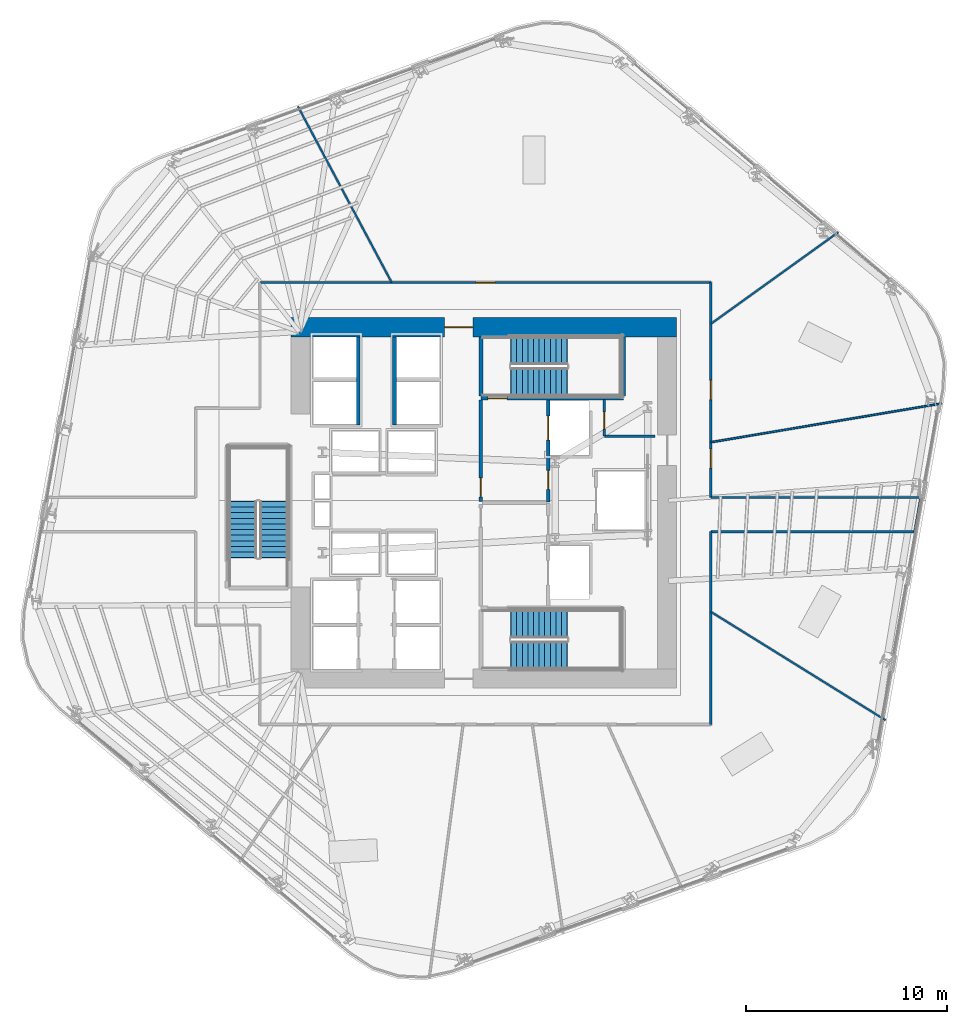
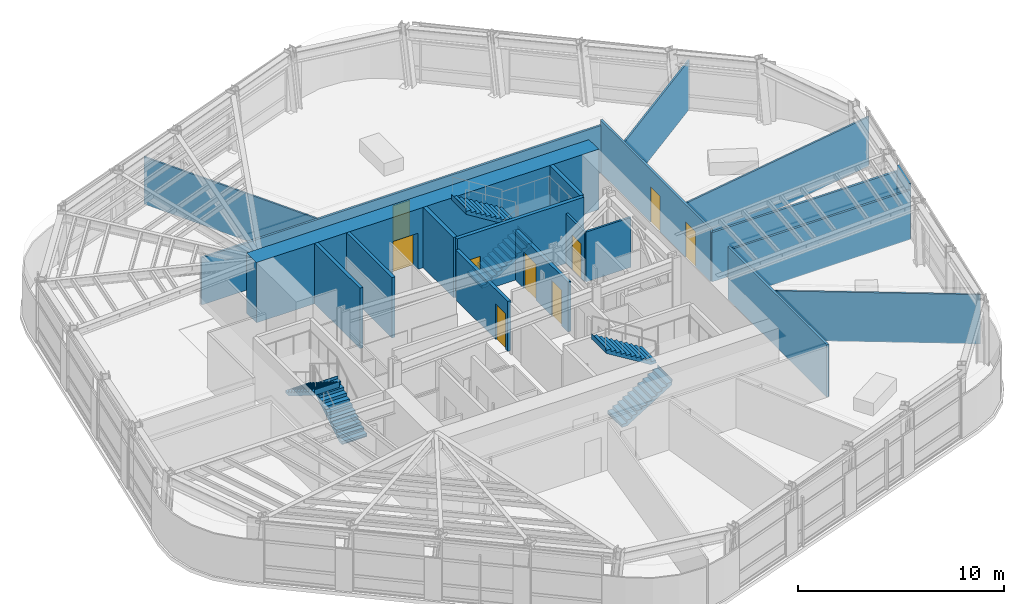
# One storey, part 10 of 18: 20 walls, 9 doors, 6 stair flights, 9 openings, 3 elements without a shape of their own.
"""IFC4 building model written with IfcOpenShell, lengths in metres."""

from ifc_helpers import new_model, si_unit, direction, frame, frame_2d, origin, place, context, subcontext, project, spatial, polyline, rectangle, outline, extrude, material, layer, layer_set, type_object, element, fill, aggregate, save


model = new_model("IFC4")

# Units and contexts
model_context = context("Model", 3, precision=1e-05, world=origin(), true_north=direction((0.0, 1.0)))
body_context = subcontext(model_context, "Body", "Model", "MODEL_VIEW")
ifc_project = project(units=[si_unit("LENGTHUNIT", "METRE"), si_unit("AREAUNIT", "SQUARE_METRE"), si_unit("VOLUMEUNIT", "CUBIC_METRE"), si_unit("PLANEANGLEUNIT", "RADIAN"), si_unit("MASSUNIT", "GRAM", prefix="KILO")], contexts=[model_context])

# Site, building, storey
site_placement = place(None, origin())
site = spatial("IfcSite", under=ifc_project, at=site_placement, CompositionType="ELEMENT")
building_placement = place(site_placement, origin())
building = spatial("IfcBuilding", under=site, at=building_placement, Name="Valkerne Bourse Tower", CompositionType="ELEMENT")
storey_placement = place(building_placement, frame((0.0, 0.0, 108.60009765625)))
storey = spatial("IfcBuildingStorey", under=building, at=storey_placement, Name="L27", CompositionType="ELEMENT", Elevation=108.60009765625)

# Wall, opening, door
ifc_material_1 = material(Name="Concrete C70/85", Category="concrete")
ifc_layer_1 = layer(ifc_material_1, 0.949951171875)
ifc_layer_set_1 = layer_set([ifc_layer_1], Name="Concrete C70/85")
wall_type_1 = type_object("IfcWallType", Name="W-CORE-950", PredefinedType="SHEAR", material=ifc_layer_set_1)
wall_1_placement = place(storey_placement, frame((37.199951171875, 35.625, 0.0), z_axis=(0.0, 0.0, 1.0), x_axis=(1.0, 0.0, 0.0)))
wall_1 = element("IfcWall", 1, at=wall_1_placement, inside=storey, type_object=wall_type_1, Name="L27 Core Shear Wall NORTH", PredefinedType="SHEAR", context=body_context, shape_type="SweptSolid", body=[
    extrude(rectangle(XDim=19.199951171875, YDim=0.949951171875, at=frame_2d((9.60009765625, 0.0))), origin(), (0.0, 0.0, 1.0), 3.579833984375),
])
opening_1_placement = place(wall_1_placement, frame((7.64990234375, 0.0, 0.0)))
opening_1 = element("IfcOpeningElement", 2, at=opening_1_placement, cuts=wall_1, Name="Opening D-PL-1400", PredefinedType="OPENING", context=body_context, shape_type="SweptSolid", body=[
    extrude(rectangle(XDim=1.39990234375, YDim=2.14990234375, at=frame_2d((0.699951171875, 1.074951171875))), frame((0.0, 0.48486328125, 0.0), z_axis=(0.0, -1.0, 0.0), x_axis=(1.0, 0.0, 0.0)), (0.0, 0.0, 1.0), 0.969970703125),
])
ifc_material_2 = material(Name="Galvanised Painted Steel", Category="steel")
door_type_1 = type_object("IfcDoorType", Name="DR-PLT-1400", OperationType="DOUBLE_DOOR_SINGLE_SWING", PredefinedType="DOOR", material=ifc_material_2)
door_1_placement = place(opening_1_placement, origin())
door_1 = element("IfcDoor", 3, at=door_1_placement, inside=storey, type_object=door_type_1, Name="L27 North Passenger Lift Hall Fire Door", OperationType="DOUBLE_DOOR_SINGLE_SWING", OverallHeight=2.14990234375, OverallWidth=1.39990234375, PredefinedType="DOOR", context=body_context, shape_type="SweptSolid", body=[
    extrude(rectangle(XDim=1.39990234375, YDim=2.14990234375, at=frame_2d((0.699951171875, 1.074951171875))), frame((0.0, 0.02490234375, 0.0), z_axis=(0.0, -1.0, 0.0), x_axis=(1.0, 0.0, 0.0)), (0.0, 0.0, 1.0), 0.050048828125),
])
fill(opening_1, door_1)

ifc_material_3 = material(Name="Gypsum Board Steel-Stud Partition", Category="steel")
ifc_layer_2 = layer(ifc_material_3, 0.117919921875)
ifc_layer_set_2 = layer_set([ifc_layer_2], Name="Gypsum Board Steel-Stud Partition")
wall_type_2 = type_object("IfcWallType", Name="W-CORR-140", PredefinedType="PARTITIONING", material=ifc_layer_set_2)
wall_2_placement = place(storey_placement, frame((52.800048828125, 30.199951171875, 0.0), z_axis=(0.0, 0.0, 1.0), x_axis=(0.0, 1.0, 0.0)))
wall_2 = element("IfcWall", 4, at=wall_2_placement, inside=storey, type_object=wall_type_2, Name="L27 Core NE Bay West Wall", PredefinedType="PARTITIONING", context=body_context, shape_type="SweptSolid", body=[
    extrude(rectangle(XDim=1.820068359375, YDim=0.117919921875, at=frame_2d((0.91015625, 0.0))), origin(), (0.0, 0.0, 1.0), 2.957763671875),
])
opening_2_placement = place(wall_2_placement, frame((0.35009765625, 0.0, 0.0)))
opening_2 = element("IfcOpeningElement", 5, at=opening_2_placement, cuts=wall_2, Name="Opening D-WC-900", PredefinedType="OPENING", context=body_context, shape_type="SweptSolid", body=[
    extrude(rectangle(XDim=0.860107421875, YDim=2.050048828125, at=frame_2d((0.43017578125, 1.02490234375))), frame((0.0, 0.06884765625, 0.0), z_axis=(0.0, -1.0, 0.0), x_axis=(1.0, 0.0, 0.0)), (0.0, 0.0, 1.0), 0.137939453125),
])
ifc_material_4 = material(Name="Architectural White Oak Timber", Category="wood")
door_type_2 = type_object("IfcDoorType", Name="DR-WC-900", OperationType="NOTDEFINED", PredefinedType="DOOR", material=ifc_material_4)
door_2_placement = place(opening_2_placement, origin())
door_2 = element("IfcDoor", 6, at=door_2_placement, inside=storey, type_object=door_type_2, Name="L27 Electrical Closet Door", OperationType="SINGLE_SWING_LEFT", OverallHeight=2.050048828125, OverallWidth=0.860107421875, PredefinedType="DOOR", context=body_context, shape_type="SweptSolid", body=[
    extrude(rectangle(XDim=0.860107421875, YDim=2.050048828125, at=frame_2d((0.43017578125, 1.02490234375))), frame((0.0, 0.02490234375, 0.0), z_axis=(0.0, -1.0, 0.0), x_axis=(1.0, 0.0, 0.0)), (0.0, 0.0, 1.0), 0.050048828125),
])
fill(opening_2, door_2)

# Walls
wall_3_placement = place(storey_placement, frame((52.800048828125, 30.199951171875, 0.0), z_axis=(0.0, 0.0, 1.0), x_axis=(1.0, 0.0, 0.0)))
element("IfcWall", 7, at=wall_3_placement, inside=storey, type_object=wall_type_2, Name="L27 Core NE Bay South Wall", PredefinedType="PARTITIONING", context=body_context, shape_type="SweptSolid", body=[
    extrude(rectangle(XDim=2.52001953125, YDim=0.117919921875, at=frame_2d((1.260009765625, 0.0))), origin(), (0.0, 0.0, 1.0), 2.957763671875),
])
wall_4_placement = place(storey_placement, frame((58.10009765625, 27.14990234375, 0.0), z_axis=(0.0, 0.0, 1.0), x_axis=(1.0, 0.0, 0.0)))
element("IfcWall", 8, at=wall_4_placement, inside=storey, type_object=wall_type_2, Name="L27 Corridor Enclosure Wall", PredefinedType="PARTITIONING", context=body_context, shape_type="SweptSolid", body=[
    extrude(rectangle(XDim=10.40771484375, YDim=0.117919921875, at=frame_2d((5.203857421875, 0.0))), origin(), (0.0, 0.0, 1.0), 2.92236328125),
])
wall_5_placement = place(storey_placement, frame((68.544921875, 27.105712890625, 0.0), z_axis=(0.0, 0.0, 1.0), x_axis=(-0.175077115394, -0.98455472355, 0.0)))
element("IfcWall", 9, at=wall_5_placement, inside=storey, type_object=wall_type_2, Name="L27 Corridor Enclosure Wall", PredefinedType="PARTITIONING", context=body_context, shape_type="SweptSolid", body=[
    extrude(rectangle(XDim=1.681640625, YDim=0.117919921875, at=frame_2d((0.8408203125, 0.0))), origin(), (0.0, 0.0, 1.0), 3.27978515625),
])
wall_6_placement = place(storey_placement, frame((68.25048828125, 25.449951171875, 0.0), z_axis=(0.0, 0.0, 1.0), x_axis=(-1.0, 0.0, 0.0)))
element("IfcWall", 10, at=wall_6_placement, inside=storey, type_object=wall_type_2, Name="L27 Corridor Enclosure Wall", PredefinedType="PARTITIONING", context=body_context, shape_type="SweptSolid", body=[
    extrude(rectangle(XDim=10.150390625, YDim=0.117919921875, at=frame_2d((5.0751953125, 0.0))), origin(), (0.0, 0.0, 1.0), 2.92236328125),
])
wall_7_placement = place(storey_placement, frame((58.10009765625, 25.449951171875, 0.0), z_axis=(0.0, 0.0, 1.0), x_axis=(0.0, -1.0, 0.0)))
element("IfcWall", 11, at=wall_7_placement, inside=storey, type_object=wall_type_2, Name="L27 Corridor Enclosure Wall", PredefinedType="PARTITIONING", context=body_context, shape_type="SweptSolid", body=[
    extrude(rectangle(XDim=9.599853515625, YDim=0.117919921875, at=frame_2d((4.7998046875, 0.0))), origin(), (0.0, 0.0, 1.0), 3.107666015625),
])

# Wall, opening, door
wall_8_placement = place(storey_placement, frame((35.64990234375, 37.85009765625, 0.0), z_axis=(0.0, 0.0, 1.0), x_axis=(1.0, 0.0, 0.0)))
wall_8 = element("IfcWall", 12, at=wall_8_placement, inside=storey, type_object=wall_type_2, Name="L27 Corridor Enclosure Wall", PredefinedType="PARTITIONING", context=body_context, shape_type="SweptSolid", body=[
    extrude(rectangle(XDim=22.4501953125, YDim=0.117919921875, at=frame_2d((11.22509765625, 0.0))), origin(), (0.0, 0.0, 1.0), 2.80029296875),
])
opening_3_placement = place(wall_8_placement, frame((10.75, 0.0, 0.0)))
opening_3 = element("IfcOpeningElement", 13, at=opening_3_placement, cuts=wall_8, Name="Opening D-OF-950", PredefinedType="OPENING", context=body_context, shape_type="SweptSolid", body=[
    extrude(rectangle(XDim=0.949951171875, YDim=2.10009765625, at=frame_2d((0.47509765625, 1.050048828125))), frame((0.0, 0.06884765625, 0.0), z_axis=(0.0, -1.0, 0.0), x_axis=(1.0, 0.0, 0.0)), (0.0, 0.0, 1.0), 0.137939453125),
])
door_type_3 = type_object("IfcDoorType", Name="DR-OFF-950", OperationType="NOTDEFINED", PredefinedType="DOOR", material=ifc_material_4)
door_3_placement = place(opening_3_placement, origin())
door_3 = element("IfcDoor", 14, at=door_3_placement, inside=storey, type_object=door_type_3, Name="L27 L27 VIP Client Concierge Reception 7 Door", OperationType="SINGLE_SWING_RIGHT", OverallHeight=2.10009765625, OverallWidth=0.949951171875, PredefinedType="DOOR", context=body_context, shape_type="SweptSolid", body=[
    extrude(rectangle(XDim=0.949951171875, YDim=2.10009765625, at=frame_2d((0.47509765625, 1.050048828125))), frame((0.0, 0.02490234375, 0.0), z_axis=(0.0, -1.0, 0.0), x_axis=(1.0, 0.0, 0.0)), (0.0, 0.0, 1.0), 0.050048828125),
])
fill(opening_3, door_3)

# Wall, openings, doors
wall_9_placement = place(storey_placement, frame((58.10009765625, 37.85009765625, 0.0), z_axis=(0.0, 0.0, 1.0), x_axis=(0.0, -1.0, 0.0)))
wall_9 = element("IfcWall", 15, at=wall_9_placement, inside=storey, type_object=wall_type_2, Name="L27 Corridor Enclosure Wall", PredefinedType="PARTITIONING", context=body_context, shape_type="SweptSolid", body=[
    extrude(rectangle(XDim=10.7001953125, YDim=0.117919921875, at=frame_2d((5.35009765625, 0.0))), origin(), (0.0, 0.0, 1.0), 3.11279296875),
])
opening_4_placement = place(wall_9_placement, frame((4.875, 0.0, 0.0)))
opening_4 = element("IfcOpeningElement", 16, at=opening_4_placement, cuts=wall_9, Name="Opening D-OF-950", PredefinedType="OPENING", context=body_context, shape_type="SweptSolid", body=[
    extrude(rectangle(XDim=0.949951171875, YDim=2.10009765625, at=frame_2d((0.47509765625, 1.050048828125))), frame((0.0, 0.06884765625, 0.0), z_axis=(0.0, -1.0, 0.0), x_axis=(1.0, 0.0, 0.0)), (0.0, 0.0, 1.0), 0.137939453125),
])
opening_5_placement = place(wall_9_placement, frame((8.294921875, 0.0, 0.0)))
opening_5 = element("IfcOpeningElement", 17, at=opening_5_placement, cuts=wall_9, Name="Opening D-OF-950", PredefinedType="OPENING", context=body_context, shape_type="SweptSolid", body=[
    extrude(rectangle(XDim=0.949951171875, YDim=2.10009765625, at=frame_2d((0.47509765625, 1.050048828125))), frame((0.0, 0.06884765625, 0.0), z_axis=(0.0, -1.0, 0.0), x_axis=(1.0, 0.0, 0.0)), (0.0, 0.0, 1.0), 0.137939453125),
])
door_4_placement = place(opening_4_placement, origin())
door_4 = element("IfcDoor", 18, at=door_4_placement, inside=storey, type_object=door_type_3, Name="L27 L27 Trading Desk Office 3 Door", OperationType="SINGLE_SWING_LEFT", OverallHeight=2.10009765625, OverallWidth=0.949951171875, PredefinedType="DOOR", context=body_context, shape_type="SweptSolid", body=[
    extrude(rectangle(XDim=0.949951171875, YDim=2.10009765625, at=frame_2d((0.47509765625, 1.050048828125))), frame((0.0, 0.02490234375, 0.0), z_axis=(0.0, -1.0, 0.0), x_axis=(1.0, 0.0, 0.0)), (0.0, 0.0, 1.0), 0.050048828125),
])
fill(opening_4, door_4)
door_5_placement = place(opening_5_placement, origin())
door_5 = element("IfcDoor", 19, at=door_5_placement, inside=storey, type_object=door_type_3, Name="L27 L27 Member Collaboration Club Salon 6 Door", OperationType="SINGLE_SWING_RIGHT", OverallHeight=2.10009765625, OverallWidth=0.949951171875, PredefinedType="DOOR", context=body_context, shape_type="SweptSolid", body=[
    extrude(rectangle(XDim=0.949951171875, YDim=2.10009765625, at=frame_2d((0.47509765625, 1.050048828125))), frame((0.0, 0.02490234375, 0.0), z_axis=(0.0, -1.0, 0.0), x_axis=(1.0, 0.0, 0.0)), (0.0, 0.0, 1.0), 0.050048828125),
])
fill(opening_5, door_5)

# Wall, opening, door
ifc_material_5 = material(Name="Gypsum Fire-Rated Shaftwall", Category="gypsum")
ifc_layer_3 = layer(ifc_material_5, 0.179931640625)
ifc_layer_set_3 = layer_set([ifc_layer_3], Name="Gypsum Fire-Rated Shaftwall")
wall_type_3 = type_object("IfcWallType", Name="W-FSAE-180", PredefinedType="PARTITIONING", material=ifc_layer_set_3)
wall_10_placement = place(storey_placement, frame((46.64990234375, 26.9599609375, 0.0), z_axis=(0.0, 0.0, 1.0), x_axis=(0.0, 1.0, 0.0)))
wall_10 = element("IfcWall", 20, at=wall_10_placement, inside=storey, type_object=wall_type_3, Name="L27 FSAE-2 Lobby West Fire Wall", PredefinedType="PARTITIONING", context=body_context, shape_type="SweptSolid", body=[
    extrude(rectangle(XDim=5.0400390625, YDim=0.179931640625, at=frame_2d((2.52001953125, 0.0))), origin(), (0.0, 0.0, 1.0), 2.957763671875),
])
opening_6_placement = place(wall_10_placement, frame((0.219970703125, 0.0, 0.0)))
opening_6 = element("IfcOpeningElement", 21, at=opening_6_placement, cuts=wall_10, Name="Opening D-FS-950", PredefinedType="OPENING", context=body_context, shape_type="SweptSolid", body=[
    extrude(rectangle(XDim=0.949951171875, YDim=2.10009765625, at=frame_2d((0.47509765625, 1.050048828125))), frame((0.0, 0.099853515625, 0.0), z_axis=(0.0, -1.0, 0.0), x_axis=(1.0, 0.0, 0.0)), (0.0, 0.0, 1.0), 0.199951171875),
])
door_type_4 = type_object("IfcDoorType", Name="DR-FSAE-950", OperationType="NOTDEFINED", PredefinedType="DOOR", material=ifc_material_2)
door_6_placement = place(opening_6_placement, origin())
door_6 = element("IfcDoor", 22, at=door_6_placement, inside=storey, type_object=door_type_4, Name="L27 FSAE-2 Hall Link Fire Door", OperationType="SINGLE_SWING_RIGHT", OverallHeight=2.10009765625, OverallWidth=0.949951171875, PredefinedType="DOOR", context=body_context, shape_type="SweptSolid", body=[
    extrude(rectangle(XDim=0.949951171875, YDim=2.10009765625, at=frame_2d((0.47509765625, 1.050048828125))), frame((0.0, 0.02490234375, 0.0), z_axis=(0.0, -1.0, 0.0), x_axis=(1.0, 0.0, 0.0)), (0.0, 0.0, 1.0), 0.050048828125),
])
fill(opening_6, door_6)

# Wall, openings, doors
wall_11_placement = place(storey_placement, frame((50.0, 26.919921875, 0.0), z_axis=(0.0, 0.0, 1.0), x_axis=(0.0, 1.0, 0.0)))
wall_11 = element("IfcWall", 23, at=wall_11_placement, inside=storey, type_object=wall_type_3, Name="L27 FSAE-2 Lobby & Shaft Front Wall", PredefinedType="PARTITIONING", context=body_context, shape_type="SweptSolid", body=[
    extrude(rectangle(XDim=5.080078125, YDim=0.179931640625, at=frame_2d((2.5400390625, 0.0))), origin(), (0.0, 0.0, 1.0), 2.957763671875),
])
opening_7_placement = place(wall_11_placement, frame((3.080078125, 0.0, 0.0)))
opening_7 = element("IfcOpeningElement", 24, at=opening_7_placement, cuts=wall_11, Name="Opening LD-1200", PredefinedType="OPENING", context=body_context, shape_type="SweptSolid", body=[
    extrude(rectangle(XDim=1.199951171875, YDim=2.14990234375, at=frame_2d((0.60009765625, 1.074951171875))), frame((0.0, 0.099853515625, 0.0), z_axis=(0.0, -1.0, 0.0), x_axis=(1.0, 0.0, 0.0)), (0.0, 0.0, 1.0), 0.199951171875),
])
opening_8_placement = place(wall_11_placement, frame((0.6298828125, 0.0, 0.0)))
opening_8 = element("IfcOpeningElement", 25, at=opening_8_placement, cuts=wall_11, Name="Opening D-FS-950", PredefinedType="OPENING", context=body_context, shape_type="SweptSolid", body=[
    extrude(rectangle(XDim=0.949951171875, YDim=2.10009765625, at=frame_2d((0.47509765625, 1.050048828125))), frame((0.0, 0.099853515625, 0.0), z_axis=(0.0, -1.0, 0.0), x_axis=(1.0, 0.0, 0.0)), (0.0, 0.0, 1.0), 0.199951171875),
])
door_7_placement = place(opening_8_placement, origin())
door_7 = element("IfcDoor", 26, at=door_7_placement, inside=storey, type_object=door_type_4, Name="L27 FSAE-2 Lobby Corridor Fire Door", OperationType="SINGLE_SWING_LEFT", OverallHeight=2.10009765625, OverallWidth=0.949951171875, PredefinedType="DOOR", context=body_context, shape_type="SweptSolid", body=[
    extrude(rectangle(XDim=0.949951171875, YDim=2.10009765625, at=frame_2d((0.47509765625, 1.050048828125))), frame((0.0, 0.02490234375, 0.0), z_axis=(0.0, -1.0, 0.0), x_axis=(1.0, 0.0, 0.0)), (0.0, 0.0, 1.0), 0.050048828125),
])
fill(opening_8, door_7)
ifc_material_6 = material(Name="Stainless Steel AISI 316", Category="steel")
door_type_5 = type_object("IfcDoorType", Name="DR-LIFT-1200", OperationType="DOUBLE_DOOR_SLIDING", PredefinedType="DOOR", material=ifc_material_6)
door_8_placement = place(opening_7_placement, origin())
door_8 = element("IfcDoor", 27, at=door_8_placement, inside=storey, type_object=door_type_5, Name="L27 FSAE-2 Firefighting Lift Landing Door", OperationType="DOUBLE_DOOR_SLIDING", OverallHeight=2.14990234375, OverallWidth=1.199951171875, PredefinedType="DOOR", context=body_context, shape_type="SweptSolid", body=[
    extrude(rectangle(XDim=1.199951171875, YDim=2.14990234375, at=frame_2d((0.60009765625, 1.074951171875))), frame((0.0, 0.02490234375, 0.0), z_axis=(0.0, -1.0, 0.0), x_axis=(1.0, 0.0, 0.0)), (0.0, 0.0, 1.0), 0.050048828125),
])
fill(opening_7, door_8)

# Walls
ifc_material_7 = material(Name="CMU Blockwork Masonry 200mm", Category="masonry")
ifc_layer_4 = layer(ifc_material_7, 0.179931640625)
ifc_layer_set_4 = layer_set([ifc_layer_4], Name="CMU Blockwork Masonry 200mm")
wall_type_4 = type_object("IfcWallType", Name="W-LFT-180", PredefinedType="SOLIDWALL", material=ifc_layer_set_4)
for number, where, z_axis, x_axis, name in (
    (28, (40.550048828125, 30.75, 0.0), (0.0, 0.0, 1.0), (0.0, 1.0, 0.0), "L27 Mid-Zone West Cars Front Wall"),
    (29, (42.35009765625, 30.75, 0.0), (0.0, 0.0, 1.0), (0.0, 1.0, 0.0), "L27 Mid-Zone East Cars Front Wall"),
):
    element("IfcWall", number, at=place(storey_placement, frame(where, z_axis=z_axis, x_axis=x_axis)), inside=storey, type_object=wall_type_4, Name=name, PredefinedType="SOLIDWALL", context=body_context, shape_type="SweptSolid", body=[
        extrude(rectangle(XDim=4.39990234375, YDim=0.179931640625, at=frame_2d((2.199951171875, 0.0))), origin(), (0.0, 0.0, 1.0), 3.579833984375),
    ])
ifc_layer_5 = layer(ifc_material_3, 0.092041015625)
ifc_layer_set_5 = layer_set([ifc_layer_5], Name="Gypsum Board Steel-Stud Partition")
wall_type_5 = type_object("IfcWallType", Name="W-PART-115", PredefinedType="PARTITIONING", material=ifc_layer_set_5)
wall_12_placement = place(storey_placement, frame((58.10498046875, 21.455078125, 0.0), z_axis=(0.0, 0.0, 1.0), x_axis=(0.849616930865, -0.527400294641, 0.0)))
element("IfcWall", 30, at=wall_12_placement, inside=storey, type_object=wall_type_5, Name="L27 Suite Partition P04", PredefinedType="PARTITIONING", context=body_context, shape_type="SweptSolid", body=[
    extrude(rectangle(XDim=10.22802734375, YDim=0.092041015625, at=frame_2d((5.114013671875, 0.0))), origin(), (0.0, 0.0, 1.0), 2.92236328125),
])
wall_13_placement = place(storey_placement, frame((58.10498046875, 29.899169921875, 0.0), z_axis=(0.0, 0.0, 1.0), x_axis=(0.986168226101, 0.165747488155, 0.0)))
element("IfcWall", 31, at=wall_13_placement, inside=storey, type_object=wall_type_5, Name="L27 Suite Partition P05", PredefinedType="PARTITIONING", context=body_context, shape_type="SweptSolid", body=[
    extrude(rectangle(XDim=11.654052734375, YDim=0.092041015625, at=frame_2d((5.8271484375, 0.0))), origin(), (0.0, 0.0, 1.0), 2.92236328125),
])
wall_14_placement = place(storey_placement, frame((58.10498046875, 35.7958984375, 0.0), z_axis=(0.0, 0.0, 1.0), x_axis=(0.811949164943, 0.583728150381, 0.0)))
element("IfcWall", 32, at=wall_14_placement, inside=storey, type_object=wall_type_5, Name="L27 Suite Partition P06", PredefinedType="PARTITIONING", context=body_context, shape_type="SweptSolid", body=[
    extrude(rectangle(XDim=7.810302734375, YDim=0.092041015625, at=frame_2d((3.9052734375, 0.0))), origin(), (0.0, 0.0, 1.0), 2.92236328125),
])
wall_15_placement = place(storey_placement, frame((42.206787109375, 37.85498046875, 0.0), z_axis=(0.0, 0.0, 1.0), x_axis=(-0.469933442047, 0.882701852296, 0.0)))
element("IfcWall", 33, at=wall_15_placement, inside=storey, type_object=wall_type_5, Name="L27 Suite Partition P07", PredefinedType="PARTITIONING", context=body_context, shape_type="SweptSolid", body=[
    extrude(rectangle(XDim=9.9296875, YDim=0.092041015625, at=frame_2d((4.96484375, 0.0))), origin(), (0.0, 0.0, 1.0), 2.80029296875),
])

# Wall, opening, door
ifc_material_8 = material(Name="Concrete C40/50", Category="concrete")
ifc_layer_6 = layer(ifc_material_8, 0.199951171875)
ifc_layer_set_6 = layer_set([ifc_layer_6], Name="Concrete C40/50")
wall_type_6 = type_object("IfcWallType", Name="W-SHF-200", PredefinedType="SHEAR", material=ifc_layer_set_6)
wall_16_placement = place(storey_placement, frame((46.64990234375, 32.10009765625, 0.0), z_axis=(0.0, 0.0, 1.0), x_axis=(1.0, 0.0, 0.0)))
wall_16 = element("IfcWall", 34, at=wall_16_placement, inside=storey, type_object=wall_type_6, Name="L27 Exit Stair ST-2 Structural Shaft Wall South", PredefinedType="SHEAR", context=body_context, shape_type="SweptSolid", body=[
    extrude(rectangle(XDim=7.10009765625, YDim=0.199951171875, at=frame_2d((3.550048828125, 0.0))), origin(), (0.0, 0.0, 1.0), 3.579833984375),
])
opening_9_placement = place(wall_16_placement, frame((0.35009765625, 0.0, 0.0)))
opening_9 = element("IfcOpeningElement", 35, at=opening_9_placement, cuts=wall_16, Name="Opening D-ST-950", PredefinedType="OPENING", context=body_context, shape_type="SweptSolid", body=[
    extrude(rectangle(XDim=0.949951171875, YDim=2.10009765625, at=frame_2d((0.47509765625, 1.050048828125))), frame((0.0, 0.10986328125, 0.0), z_axis=(0.0, -1.0, 0.0), x_axis=(1.0, 0.0, 0.0)), (0.0, 0.0, 1.0), 0.219970703125),
])
door_type_6 = type_object("IfcDoorType", Name="DR-STAIR-950", OperationType="NOTDEFINED", PredefinedType="DOOR", material=ifc_material_2)
door_9_placement = place(opening_9_placement, origin())
door_9 = element("IfcDoor", 36, at=door_9_placement, inside=storey, type_object=door_type_6, Name="L27 Exit Stair ST-2 Door", OperationType="SINGLE_SWING_RIGHT", OverallHeight=2.10009765625, OverallWidth=0.949951171875, PredefinedType="DOOR", context=body_context, shape_type="SweptSolid", body=[
    extrude(rectangle(XDim=0.949951171875, YDim=2.10009765625, at=frame_2d((0.47509765625, 1.050048828125))), frame((0.0, 0.02490234375, 0.0), z_axis=(0.0, -1.0, 0.0), x_axis=(1.0, 0.0, 0.0)), (0.0, 0.0, 1.0), 0.050048828125),
])
fill(opening_9, door_9)

# Walls
for number, where, z_axis, x_axis, name in (
    (37, (46.64990234375, 32.199951171875, 0.0), (0.0, 0.0, 1.0), (0.0, 1.0, 0.0), "L27 Exit Stair ST-2 Structural Shaft Wall West"),
    (38, (53.75, 32.199951171875, 0.0), (0.0, 0.0, 1.0), (0.0, 1.0, 0.0), "L27 Exit Stair ST-2 Structural Shaft Wall East"),
):
    element("IfcWall", number, at=place(storey_placement, frame(where, z_axis=z_axis, x_axis=x_axis)), inside=storey, type_object=wall_type_6, Name=name, PredefinedType="SHEAR", context=body_context, shape_type="SweptSolid", body=[
        extrude(rectangle(XDim=2.949951171875, YDim=0.199951171875, at=frame_2d((1.47509765625, 0.0))), origin(), (0.0, 0.0, 1.0), 3.579833984375),
    ])

# Stair, stair flights
stair_type = type_object("IfcStairType", Name="ST-CORE-1400", PredefinedType="HALF_TURN_STAIR", material=ifc_material_8)
stair_1_placement = place(storey_placement, origin())
stair_1 = element("IfcStair", 39, at=stair_1_placement, inside=storey, type_object=stair_type, Name="L27 ST-1", PredefinedType="HALF_TURN_STAIR")
stair_flight_type = type_object("IfcStairFlightType", Name="STF-CORE-1400", PredefinedType="STRAIGHT", material=ifc_material_8)
stair_flight_1_placement = place(storey_placement, frame((48.14990234375, 19.300048828125, 0.0), z_axis=(0.0, 0.0, 1.0), x_axis=(1.0, 0.0, 0.0)))
stair_flight_1 = element("IfcStairFlight", 40, at=stair_flight_1_placement, type_object=stair_flight_type, Name="ST-1 flight 1", NumberOfRisers=11, NumberOfTreads=10, PredefinedType="STRAIGHT", RiserHeight=0.172727273, TreadLength=0.28, context=body_context, shape_type="SweptSolid", body=[
    extrude(outline(polyline([(-0.02001953125, 0.0), (-0.02001953125, 0.044921875), (0.0, 0.044921875), (0.0, 0.172607421875), (0.280029296875, 0.172607421875), (0.280029296875, 0.345458984375), (0.56005859375, 0.345458984375), (0.56005859375, 0.51806640625), (0.840087890625, 0.51806640625), (0.840087890625, 0.69091796875), (1.1201171875, 0.69091796875), (1.1201171875, 0.863525390625), (1.39990234375, 0.863525390625), (1.39990234375, 1.036376953125), (1.679931640625, 1.036376953125), (1.679931640625, 1.208984375), (1.9599609375, 1.208984375), (1.9599609375, 1.3818359375), (2.239990234375, 1.3818359375), (2.239990234375, 1.554443359375), (2.52001953125, 1.554443359375), (2.52001953125, 1.727294921875), (2.800048828125, 1.727294921875), (2.800048828125, 1.89990234375), (2.820068359375, 1.89990234375), (2.820068359375, 1.780029296875), (2.800048828125, 1.551025390625), (0.285400390625, 0.0), (-0.02001953125, 0.0)])), frame((0.0, 0.699951171875, 0.0), z_axis=(0.0, -1.0, 0.0), x_axis=(1.0, 0.0, 0.0)), (0.0, 0.0, 1.0), 1.39990234375),
])
stair_flight_2_placement = place(storey_placement, frame((50.949951171875, 20.85009765625, 1.89990234375), z_axis=(0.0, 0.0, 1.0), x_axis=(-1.0, 0.0, 0.0)))
stair_flight_2 = element("IfcStairFlight", 41, at=stair_flight_2_placement, type_object=stair_flight_type, Name="ST-1 flight 2", NumberOfRisers=11, NumberOfTreads=10, PredefinedType="STRAIGHT", RiserHeight=0.172727273, TreadLength=0.28, context=body_context, shape_type="SweptSolid", body=[
    extrude(outline(polyline([(-0.02001953125, 0.0), (-0.02001953125, 0.044921875), (0.0, 0.044921875), (0.0, 0.172607421875), (0.280029296875, 0.172607421875), (0.280029296875, 0.345458984375), (0.56005859375, 0.345458984375), (0.56005859375, 0.51806640625), (0.840087890625, 0.51806640625), (0.840087890625, 0.69091796875), (1.1201171875, 0.69091796875), (1.1201171875, 0.863525390625), (1.39990234375, 0.863525390625), (1.39990234375, 1.036376953125), (1.679931640625, 1.036376953125), (1.679931640625, 1.208984375), (1.9599609375, 1.208984375), (1.9599609375, 1.3818359375), (2.239990234375, 1.3818359375), (2.239990234375, 1.554443359375), (2.52001953125, 1.554443359375), (2.52001953125, 1.727294921875), (2.800048828125, 1.727294921875), (2.800048828125, 1.89990234375), (2.820068359375, 1.89990234375), (2.820068359375, 1.780029296875), (2.800048828125, 1.551025390625), (0.285400390625, 0.0), (-0.02001953125, 0.0)])), frame((0.0, 0.699951171875, 0.0), z_axis=(0.0, -1.0, 0.0), x_axis=(1.0, 0.0, 0.0)), (0.0, 0.0, 1.0), 1.39990234375),
])
aggregate(stair_1, [stair_flight_1, stair_flight_2])

stair_2_placement = place(storey_placement, origin())
stair_2 = element("IfcStair", 42, at=stair_2_placement, inside=storey, type_object=stair_type, Name="L27 ST-2", PredefinedType="HALF_TURN_STAIR")
stair_flight_3_placement = place(storey_placement, frame((48.14990234375, 32.89990234375, 0.0), z_axis=(0.0, 0.0, 1.0), x_axis=(1.0, 0.0, 0.0)))
stair_flight_3 = element("IfcStairFlight", 43, at=stair_flight_3_placement, type_object=stair_flight_type, Name="ST-2 flight 1", NumberOfRisers=11, NumberOfTreads=10, PredefinedType="STRAIGHT", RiserHeight=0.172727273, TreadLength=0.28, context=body_context, shape_type="SweptSolid", body=[
    extrude(outline(polyline([(-0.02001953125, 0.0), (-0.02001953125, 0.044921875), (0.0, 0.044921875), (0.0, 0.172607421875), (0.280029296875, 0.172607421875), (0.280029296875, 0.345458984375), (0.56005859375, 0.345458984375), (0.56005859375, 0.51806640625), (0.840087890625, 0.51806640625), (0.840087890625, 0.69091796875), (1.1201171875, 0.69091796875), (1.1201171875, 0.863525390625), (1.39990234375, 0.863525390625), (1.39990234375, 1.036376953125), (1.679931640625, 1.036376953125), (1.679931640625, 1.208984375), (1.9599609375, 1.208984375), (1.9599609375, 1.3818359375), (2.239990234375, 1.3818359375), (2.239990234375, 1.554443359375), (2.52001953125, 1.554443359375), (2.52001953125, 1.727294921875), (2.800048828125, 1.727294921875), (2.800048828125, 1.89990234375), (2.820068359375, 1.89990234375), (2.820068359375, 1.780029296875), (2.800048828125, 1.551025390625), (0.285400390625, 0.0), (-0.02001953125, 0.0)])), frame((0.0, 0.699951171875, 0.0), z_axis=(0.0, -1.0, 0.0), x_axis=(1.0, 0.0, 0.0)), (0.0, 0.0, 1.0), 1.39990234375),
])
stair_flight_4_placement = place(storey_placement, frame((50.949951171875, 34.449951171875, 1.89990234375), z_axis=(0.0, 0.0, 1.0), x_axis=(-1.0, 0.0, 0.0)))
stair_flight_4 = element("IfcStairFlight", 44, at=stair_flight_4_placement, type_object=stair_flight_type, Name="ST-2 flight 2", NumberOfRisers=11, NumberOfTreads=10, PredefinedType="STRAIGHT", RiserHeight=0.172727273, TreadLength=0.28, context=body_context, shape_type="SweptSolid", body=[
    extrude(outline(polyline([(-0.02001953125, 0.0), (-0.02001953125, 0.044921875), (0.0, 0.044921875), (0.0, 0.172607421875), (0.280029296875, 0.172607421875), (0.280029296875, 0.345458984375), (0.56005859375, 0.345458984375), (0.56005859375, 0.51806640625), (0.840087890625, 0.51806640625), (0.840087890625, 0.69091796875), (1.1201171875, 0.69091796875), (1.1201171875, 0.863525390625), (1.39990234375, 0.863525390625), (1.39990234375, 1.036376953125), (1.679931640625, 1.036376953125), (1.679931640625, 1.208984375), (1.9599609375, 1.208984375), (1.9599609375, 1.3818359375), (2.239990234375, 1.3818359375), (2.239990234375, 1.554443359375), (2.52001953125, 1.554443359375), (2.52001953125, 1.727294921875), (2.800048828125, 1.727294921875), (2.800048828125, 1.89990234375), (2.820068359375, 1.89990234375), (2.820068359375, 1.780029296875), (2.800048828125, 1.551025390625), (0.285400390625, 0.0), (-0.02001953125, 0.0)])), frame((0.0, 0.699951171875, 0.0), z_axis=(0.0, -1.0, 0.0), x_axis=(1.0, 0.0, 0.0)), (0.0, 0.0, 1.0), 1.39990234375),
])
aggregate(stair_2, [stair_flight_3, stair_flight_4])

stair_3_placement = place(storey_placement, origin())
stair_3 = element("IfcStair", 45, at=stair_3_placement, inside=storey, type_object=stair_type, Name="L27 ST-3", PredefinedType="HALF_TURN_STAIR")
stair_flight_5_placement = place(storey_placement, frame((36.35009765625, 24.14990234375, 0.0), z_axis=(0.0, 0.0, 1.0), x_axis=(0.0, 1.0, 0.0)))
stair_flight_5 = element("IfcStairFlight", 46, at=stair_flight_5_placement, type_object=stair_flight_type, Name="ST-3 flight 1", NumberOfRisers=11, NumberOfTreads=10, PredefinedType="STRAIGHT", RiserHeight=0.172727273, TreadLength=0.28, context=body_context, shape_type="SweptSolid", body=[
    extrude(outline(polyline([(-0.02001953125, 0.0), (-0.02001953125, 0.044921875), (0.0, 0.044921875), (0.0, 0.172607421875), (0.280029296875, 0.172607421875), (0.280029296875, 0.345458984375), (0.56005859375, 0.345458984375), (0.56005859375, 0.51806640625), (0.840087890625, 0.51806640625), (0.840087890625, 0.69091796875), (1.1201171875, 0.69091796875), (1.1201171875, 0.863525390625), (1.39990234375, 0.863525390625), (1.39990234375, 1.036376953125), (1.679931640625, 1.036376953125), (1.679931640625, 1.208984375), (1.9599609375, 1.208984375), (1.9599609375, 1.3818359375), (2.239990234375, 1.3818359375), (2.239990234375, 1.554443359375), (2.52001953125, 1.554443359375), (2.52001953125, 1.727294921875), (2.800048828125, 1.727294921875), (2.800048828125, 1.89990234375), (2.820068359375, 1.89990234375), (2.820068359375, 1.780029296875), (2.800048828125, 1.551025390625), (0.285400390625, 0.0), (-0.02001953125, 0.0)])), frame((0.0, 0.699951171875, 0.0), z_axis=(0.0, -1.0, 0.0), x_axis=(1.0, 0.0, 0.0)), (0.0, 0.0, 1.0), 1.39990234375),
])
stair_flight_6_placement = place(storey_placement, frame((34.800048828125, 26.949951171875, 1.89990234375), z_axis=(0.0, 0.0, 1.0), x_axis=(0.0, -1.0, 0.0)))
stair_flight_6 = element("IfcStairFlight", 47, at=stair_flight_6_placement, type_object=stair_flight_type, Name="ST-3 flight 2", NumberOfRisers=11, NumberOfTreads=10, PredefinedType="STRAIGHT", RiserHeight=0.172727273, TreadLength=0.28, context=body_context, shape_type="SweptSolid", body=[
    extrude(outline(polyline([(-0.02001953125, 0.0), (-0.02001953125, 0.044921875), (0.0, 0.044921875), (0.0, 0.172607421875), (0.280029296875, 0.172607421875), (0.280029296875, 0.345458984375), (0.56005859375, 0.345458984375), (0.56005859375, 0.51806640625), (0.840087890625, 0.51806640625), (0.840087890625, 0.69091796875), (1.1201171875, 0.69091796875), (1.1201171875, 0.863525390625), (1.39990234375, 0.863525390625), (1.39990234375, 1.036376953125), (1.679931640625, 1.036376953125), (1.679931640625, 1.208984375), (1.9599609375, 1.208984375), (1.9599609375, 1.3818359375), (2.239990234375, 1.3818359375), (2.239990234375, 1.554443359375), (2.52001953125, 1.554443359375), (2.52001953125, 1.727294921875), (2.800048828125, 1.727294921875), (2.800048828125, 1.89990234375), (2.820068359375, 1.89990234375), (2.820068359375, 1.780029296875), (2.800048828125, 1.551025390625), (0.285400390625, 0.0), (-0.02001953125, 0.0)])), frame((0.0, 0.699951171875, 0.0), z_axis=(0.0, -1.0, 0.0), x_axis=(1.0, 0.0, 0.0)), (0.0, 0.0, 1.0), 1.39990234375),
])
aggregate(stair_3, [stair_flight_5, stair_flight_6])

save(model, "model.ifc")
